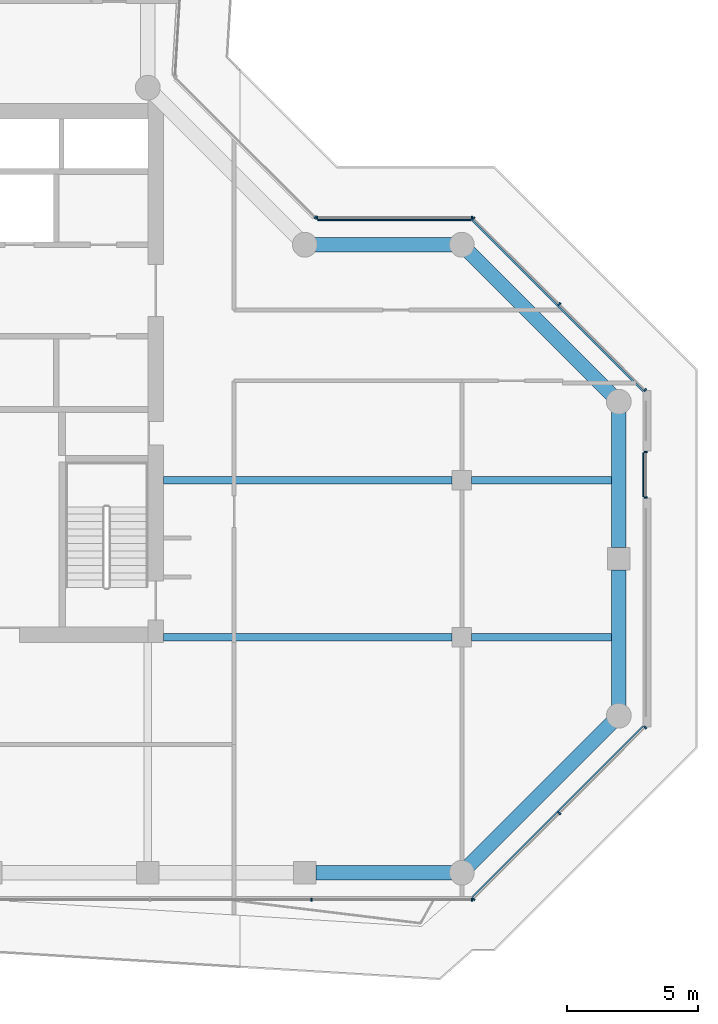
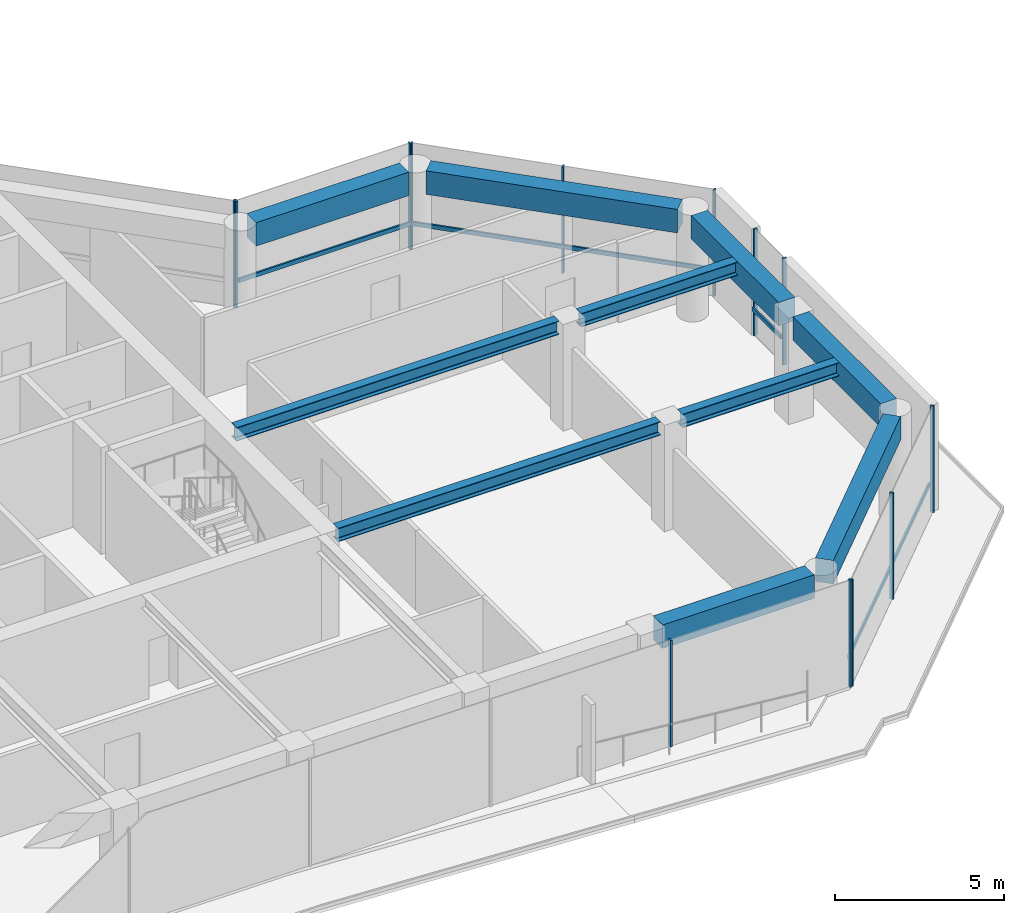
# One storey, part 7 of 22: 17 members, 10 beams, 6 elements without a shape of their own.
"""IFC4 building model written with IfcOpenShell, lengths in metres."""

from ifc_helpers import new_model, si_unit, direction, frame, origin, origin_2d, place, context, subcontext, project, spatial, rectangle, i_section, extrude, material, layer, layer_set, material_profile, profile_set, type_object, element, aggregate, save


model = new_model("IFC4")

# Units and contexts
model_context = context("Model", 3, precision=1e-05, world=origin(), true_north=direction((0.0, 1.0)))
body_context = subcontext(model_context, "Body", "Model", "MODEL_VIEW")
ifc_project = project(units=[si_unit("LENGTHUNIT", "METRE"), si_unit("AREAUNIT", "SQUARE_METRE"), si_unit("VOLUMEUNIT", "CUBIC_METRE"), si_unit("PLANEANGLEUNIT", "RADIAN"), si_unit("MASSUNIT", "GRAM", prefix="KILO")], contexts=[model_context])

# Site, building, storey
site_placement = place(None, origin())
site = spatial("IfcSite", under=ifc_project, at=site_placement, CompositionType="ELEMENT")
building_placement = place(site_placement, origin())
building = spatial("IfcBuilding", under=site, at=building_placement, Name="Welwitschia Terrace Campus", CompositionType="ELEMENT")
storey_placement = place(building_placement, frame((0.0, 0.0, 155.0)))
storey = spatial("IfcBuildingStorey", under=building, at=storey_placement, Name="L34", CompositionType="ELEMENT", Elevation=155.0)

# Beams
ifc_material_1 = material(Name="Steel S355", Category="steel")
ifc_material_profile_1 = material_profile(ifc_material_1, i_section(OverallWidth=0.300048828125, OverallDepth=0.489990234375, WebThickness=0.011962890625, FlangeThickness=0.02294921875, FilletRadius=0.027099609375, at=origin_2d()))
ifc_profile_set_1 = profile_set([ifc_material_profile_1], Name="Steel S355")
beam_type_1 = type_object("IfcBeamType", Name="Interior girder HE 500 A", PredefinedType="BEAM", material=ifc_profile_set_1)
beam_1_placement = place(storey_placement, frame((24.60107421875, 5.0, 3.60498046875), z_axis=(1.0, 0.0, 0.0), x_axis=(0.0, 1.0, 0.0)))
element("IfcBeam", 1, at=beam_1_placement, inside=storey, type_object=beam_type_1, Name="Girder GB4", PredefinedType="BEAM", context=body_context, shape_type="SweptSolid", body=[
    extrude(i_section(OverallWidth=0.300048828125, OverallDepth=0.489990234375, WebThickness=0.011962890625, FlangeThickness=0.02294921875, FilletRadius=0.027099609375, at=origin_2d()), origin(), (0.0, 0.0, 1.0), 11.0234375),
])
beam_2_placement = place(storey_placement, frame((36.37548828125, 5.0, 3.60498046875), z_axis=(1.0, 0.0, 0.0), x_axis=(0.0, 1.0, 0.0)))
element("IfcBeam", 2, at=beam_2_placement, inside=storey, type_object=beam_type_1, Name="Girder GB4", PredefinedType="BEAM", context=body_context, shape_type="SweptSolid", body=[
    extrude(i_section(OverallWidth=0.300048828125, OverallDepth=0.489990234375, WebThickness=0.011962890625, FlangeThickness=0.02294921875, FilletRadius=0.027099609375, at=origin_2d()), origin(), (0.0, 0.0, 1.0), 5.634521484375),
])
beam_3_placement = place(storey_placement, frame((24.60107421875, 11.0, 3.60498046875), z_axis=(1.0, 0.0, 0.0), x_axis=(0.0, 1.0, 0.0)))
element("IfcBeam", 3, at=beam_3_placement, inside=storey, type_object=beam_type_1, Name="Girder GB4", PredefinedType="BEAM", context=body_context, shape_type="SweptSolid", body=[
    extrude(i_section(OverallWidth=0.300048828125, OverallDepth=0.489990234375, WebThickness=0.011962890625, FlangeThickness=0.02294921875, FilletRadius=0.027099609375, at=origin_2d()), origin(), (0.0, 0.0, 1.0), 11.0234375),
])
beam_4_placement = place(storey_placement, frame((36.37548828125, 11.0, 3.60498046875), z_axis=(1.0, 0.0, 0.0), x_axis=(0.0, 1.0, 0.0)))
element("IfcBeam", 4, at=beam_4_placement, inside=storey, type_object=beam_type_1, Name="Girder GB4", PredefinedType="BEAM", context=body_context, shape_type="SweptSolid", body=[
    extrude(i_section(OverallWidth=0.300048828125, OverallDepth=0.489990234375, WebThickness=0.011962890625, FlangeThickness=0.02294921875, FilletRadius=0.027099609375, at=origin_2d()), origin(), (0.0, 0.0, 1.0), 5.634521484375),
])

# Curtain wall, members
ifc_material_2 = material(Name="Bronze anodised aluminium", Category="aluminium")
ifc_layer = layer(ifc_material_2, 0.1201171875)
ifc_layer_set = layer_set([ifc_layer], Name="Bronze anodised aluminium")
curtain_wall_type = type_object("IfcCurtainWallType", Name="Curtain wall CW2 tower 6000", PredefinedType="NOTDEFINED", material=ifc_layer_set)
curtain_wall_1_placement = place(storey_placement, origin())
curtain_wall_1 = element("IfcCurtainWall", 5, at=curtain_wall_1_placement, inside=storey, type_object=curtain_wall_type, Name="CW L34.2.0", PredefinedType="NOTDEFINED")
ifc_material_3 = material(Name="Bronze anodised aluminium", Category="aluminium")
ifc_material_profile_2 = material_profile(ifc_material_3, rectangle(XDim=0.1201171875, YDim=0.06005859375, at=origin_2d()))
ifc_profile_set_2 = profile_set([ifc_material_profile_2], Name="Bronze anodised aluminium")
member_type_1 = type_object("IfcMemberType", Name="Mullion 60x120", PredefinedType="MULLION", material=ifc_profile_set_2)
member_1_placement = place(storey_placement, frame((30.256103515625, -5.030029296875, 0.0), z_axis=(0.0, 0.0, 1.0), x_axis=(0.0, 1.0, 0.0)))
member_1 = element("IfcMember", 6, at=member_1_placement, type_object=member_type_1, Name="Mullion L34.2.0.4", PredefinedType="MULLION", context=body_context, shape_type="SweptSolid", body=[
    extrude(rectangle(XDim=0.1201171875, YDim=0.06005859375, at=origin_2d()), origin(), (0.0, 0.0, 1.0), 3.85009765625),
])
member_2_placement = place(storey_placement, frame((36.396728515625, -5.030029296875, 0.0), z_axis=(0.0, 0.0, 1.0), x_axis=(0.0, 1.0, 0.0)))
member_2 = element("IfcMember", 7, at=member_2_placement, type_object=member_type_1, Name="Mullion L34.2.0.5", PredefinedType="MULLION", context=body_context, shape_type="SweptSolid", body=[
    extrude(rectangle(XDim=0.1201171875, YDim=0.06005859375, at=origin_2d()), origin(), (0.0, 0.0, 1.0), 3.85009765625),
])
aggregate(curtain_wall_1, [member_1, member_2])

curtain_wall_2_placement = place(storey_placement, origin())
curtain_wall_2 = element("IfcCurtainWall", 8, at=curtain_wall_2_placement, inside=storey, type_object=curtain_wall_type, Name="CW L34.3.0", PredefinedType="NOTDEFINED")
member_3_placement = place(storey_placement, frame((36.44775390625, -5.0087890625, 0.0), z_axis=(0.0, 0.0, 1.0), x_axis=(-0.707106781187, 0.707106781187, 0.0)))
member_3 = element("IfcMember", 9, at=member_3_placement, type_object=member_type_1, Name="Mullion L34.3.0.0", PredefinedType="MULLION", context=body_context, shape_type="SweptSolid", body=[
    extrude(rectangle(XDim=0.1201171875, YDim=0.06005859375, at=origin_2d()), origin(), (0.0, 0.0, 1.0), 3.85009765625),
])
member_4_placement = place(storey_placement, frame((39.728271484375, -1.728271484375, 0.0), z_axis=(0.0, 0.0, 1.0), x_axis=(-0.707106781187, 0.707106781187, 0.0)))
member_4 = element("IfcMember", 10, at=member_4_placement, type_object=member_type_1, Name="Mullion L34.3.0.1", PredefinedType="MULLION", context=body_context, shape_type="SweptSolid", body=[
    extrude(rectangle(XDim=0.1201171875, YDim=0.06005859375, at=origin_2d()), origin(), (0.0, 0.0, 1.0), 3.85009765625),
])
member_5_placement = place(storey_placement, frame((43.0087890625, 1.55224609375, 0.0), z_axis=(0.0, 0.0, 1.0), x_axis=(-0.707106781187, 0.707106781187, 0.0)))
member_5 = element("IfcMember", 11, at=member_5_placement, type_object=member_type_1, Name="Mullion L34.3.0.2", PredefinedType="MULLION", context=body_context, shape_type="SweptSolid", body=[
    extrude(rectangle(XDim=0.1201171875, YDim=0.06005859375, at=origin_2d()), origin(), (0.0, 0.0, 1.0), 3.85009765625),
])

curtain_wall_3_placement = place(storey_placement, origin())
curtain_wall_3 = element("IfcCurtainWall", 12, at=curtain_wall_3_placement, inside=storey, type_object=curtain_wall_type, Name="CW L34.4.S0", PredefinedType="NOTDEFINED")
member_6_placement = place(storey_placement, frame((43.030029296875, 10.34326171875, 0.0), z_axis=(0.0, 0.0, 1.0), x_axis=(-1.0, 0.0, 0.0)))
member_6 = element("IfcMember", 13, at=member_6_placement, type_object=member_type_1, Name="Mullion L34.4.S0.0", PredefinedType="MULLION", context=body_context, shape_type="SweptSolid", body=[
    extrude(rectangle(XDim=0.1201171875, YDim=0.06005859375, at=origin_2d()), origin(), (0.0, 0.0, 1.0), 3.85009765625),
])
member_7_placement = place(storey_placement, frame((43.030029296875, 12.083251953125, 0.0), z_axis=(0.0, 0.0, 1.0), x_axis=(-1.0, 0.0, 0.0)))
member_7 = element("IfcMember", 14, at=member_7_placement, type_object=member_type_1, Name="Mullion L34.4.S0.1", PredefinedType="MULLION", context=body_context, shape_type="SweptSolid", body=[
    extrude(rectangle(XDim=0.1201171875, YDim=0.06005859375, at=origin_2d()), origin(), (0.0, 0.0, 1.0), 3.85009765625),
])

curtain_wall_4_placement = place(storey_placement, origin())
curtain_wall_4 = element("IfcCurtainWall", 15, at=curtain_wall_4_placement, inside=storey, type_object=curtain_wall_type, Name="CW L34.5.0", PredefinedType="NOTDEFINED")
member_8_placement = place(storey_placement, frame((43.0087890625, 14.44775390625, 0.0), z_axis=(0.0, 0.0, 1.0), x_axis=(-0.707106781187, -0.707106781187, 0.0)))
member_8 = element("IfcMember", 16, at=member_8_placement, type_object=member_type_1, Name="Mullion L34.5.0.0", PredefinedType="MULLION", context=body_context, shape_type="SweptSolid", body=[
    extrude(rectangle(XDim=0.1201171875, YDim=0.06005859375, at=origin_2d()), origin(), (0.0, 0.0, 1.0), 3.85009765625),
])
member_9_placement = place(storey_placement, frame((39.728271484375, 17.728271484375, 0.0), z_axis=(0.0, 0.0, 1.0), x_axis=(-0.707106781187, -0.707106781187, 0.0)))
member_9 = element("IfcMember", 17, at=member_9_placement, type_object=member_type_1, Name="Mullion L34.5.0.1", PredefinedType="MULLION", context=body_context, shape_type="SweptSolid", body=[
    extrude(rectangle(XDim=0.1201171875, YDim=0.06005859375, at=origin_2d()), origin(), (0.0, 0.0, 1.0), 3.85009765625),
])
member_10_placement = place(storey_placement, frame((36.44775390625, 21.0087890625, 0.0), z_axis=(0.0, 0.0, 1.0), x_axis=(-0.707106781187, -0.707106781187, 0.0)))
member_10 = element("IfcMember", 18, at=member_10_placement, type_object=member_type_1, Name="Mullion L34.5.0.2", PredefinedType="MULLION", context=body_context, shape_type="SweptSolid", body=[
    extrude(rectangle(XDim=0.1201171875, YDim=0.06005859375, at=origin_2d()), origin(), (0.0, 0.0, 1.0), 3.85009765625),
])

curtain_wall_5_placement = place(storey_placement, origin())
curtain_wall_5 = element("IfcCurtainWall", 19, at=curtain_wall_5_placement, inside=storey, type_object=curtain_wall_type, Name="CW L34.6.0", PredefinedType="NOTDEFINED")
member_11_placement = place(storey_placement, frame((36.396728515625, 21.030029296875, 0.0), z_axis=(0.0, 0.0, 1.0), x_axis=(0.0, -1.0, 0.0)))
member_11 = element("IfcMember", 20, at=member_11_placement, type_object=member_type_1, Name="Mullion L34.6.0.0", PredefinedType="MULLION", context=body_context, shape_type="SweptSolid", body=[
    extrude(rectangle(XDim=0.1201171875, YDim=0.06005859375, at=origin_2d()), origin(), (0.0, 0.0, 1.0), 3.85009765625),
])
member_12_placement = place(storey_placement, frame((30.45654296875, 21.030029296875, 0.0), z_axis=(0.0, 0.0, 1.0), x_axis=(0.0, -1.0, 0.0)))
member_12 = element("IfcMember", 21, at=member_12_placement, type_object=member_type_1, Name="Mullion L34.6.0.1", PredefinedType="MULLION", context=body_context, shape_type="SweptSolid", body=[
    extrude(rectangle(XDim=0.1201171875, YDim=0.06005859375, at=origin_2d()), origin(), (0.0, 0.0, 1.0), 3.85009765625),
])

# Curtain wall, member
curtain_wall_6_placement = place(storey_placement, origin())
curtain_wall_6 = element("IfcCurtainWall", 22, at=curtain_wall_6_placement, inside=storey, type_object=curtain_wall_type, Name="CW L34.7.0", PredefinedType="NOTDEFINED")
member_13_placement = place(storey_placement, frame((30.405517578125, 21.05126953125, 0.0), z_axis=(0.0, 0.0, 1.0), x_axis=(-0.707106781187, -0.707106781187, 0.0)))
member_13 = element("IfcMember", 23, at=member_13_placement, type_object=member_type_1, Name="Mullion L34.7.0.0", PredefinedType="MULLION", context=body_context, shape_type="SweptSolid", body=[
    extrude(rectangle(XDim=0.1201171875, YDim=0.06005859375, at=origin_2d()), origin(), (0.0, 0.0, 1.0), 3.85009765625),
])
aggregate(curtain_wall_6, [member_13])

# Beams
ifc_material_4 = material(Name="Concrete C50/60", Category="concrete")
ifc_material_profile_3 = material_profile(ifc_material_4, rectangle(XDim=0.550048828125, YDim=0.85009765625, at=origin_2d()))
ifc_profile_set_3 = profile_set([ifc_material_profile_3], Name="Concrete C50/60")
beam_type_2 = type_object("IfcBeamType", Name="Ring spandrel 550x850", PredefinedType="SPANDREL", material=ifc_profile_set_3)
beam_5_placement = place(storey_placement, frame((30.425537109375, -4.0, 3.425048828125), z_axis=(1.0, 0.0, 0.0), x_axis=(0.0, 1.0, 0.0)))
element("IfcBeam", 24, at=beam_5_placement, inside=storey, type_object=beam_type_2, Name="Spandrel SP3", PredefinedType="SPANDREL", context=body_context, shape_type="SweptSolid", body=[
    extrude(rectangle(XDim=0.550048828125, YDim=0.85009765625, at=origin_2d()), origin(), (0.0, 0.0, 1.0), 5.1865234375),
])
beam_6_placement = place(storey_placement, frame((36.2744140625, -3.7255859375, 3.425048828125), z_axis=(0.707106781187, 0.707106781187, 0.0), x_axis=(-0.707106781187, 0.707106781187, 0.0)))
element("IfcBeam", 25, at=beam_6_placement, inside=storey, type_object=beam_type_2, Name="Spandrel SP3", PredefinedType="SPANDREL", context=body_context, shape_type="SweptSolid", body=[
    extrude(rectangle(XDim=0.550048828125, YDim=0.85009765625, at=origin_2d()), origin(), (0.0, 0.0, 1.0), 7.709228515625),
])
for number, where, z_axis, x_axis, name in (
    (26, (42.0, 2.387939453125, 3.425048828125), (0.0, 1.0, 0.0), (-1.0, 0.0, 0.0), "Spandrel SP3"),
    (27, (42.0, 8.425537109375, 3.425048828125), (0.0, 1.0, 0.0), (-1.0, 0.0, 0.0), "Spandrel SP3"),
):
    element("IfcBeam", number, at=place(storey_placement, frame(where, z_axis=z_axis, x_axis=x_axis)), inside=storey, type_object=beam_type_2, Name=name, PredefinedType="SPANDREL", context=body_context, shape_type="SweptSolid", body=[
        extrude(rectangle(XDim=0.550048828125, YDim=0.85009765625, at=origin_2d()), origin(), (0.0, 0.0, 1.0), 5.1865234375),
    ])
beam_7_placement = place(storey_placement, frame((41.7255859375, 14.2744140625, 3.425048828125), z_axis=(-0.707106781187, 0.707106781187, 0.0), x_axis=(-0.707106781187, -0.707106781187, 0.0)))
element("IfcBeam", 28, at=beam_7_placement, inside=storey, type_object=beam_type_2, Name="Spandrel SP3", PredefinedType="SPANDREL", context=body_context, shape_type="SweptSolid", body=[
    extrude(rectangle(XDim=0.550048828125, YDim=0.85009765625, at=origin_2d()), origin(), (0.0, 0.0, 1.0), 7.709228515625),
])
beam_8_placement = place(storey_placement, frame((35.612060546875, 20.0, 3.425048828125), z_axis=(-1.0, 0.0, 0.0), x_axis=(0.0, -1.0, 0.0)))
element("IfcBeam", 29, at=beam_8_placement, inside=storey, type_object=beam_type_2, Name="Spandrel SP3", PredefinedType="SPANDREL", context=body_context, shape_type="SweptSolid", body=[
    extrude(rectangle(XDim=0.550048828125, YDim=0.85009765625, at=origin_2d()), origin(), (0.0, 0.0, 1.0), 5.22412109375),
])

# Member
ifc_material_5 = material(Name="Bronze anodised aluminium", Category="aluminium")
ifc_material_profile_4 = material_profile(ifc_material_5, rectangle(XDim=0.06005859375, YDim=0.14990234375, at=origin_2d()))
ifc_profile_set_4 = profile_set([ifc_material_profile_4], Name="Bronze anodised aluminium")
member_type_2 = type_object("IfcMemberType", Name="Transom 60x150", PredefinedType="USERDEFINED", material=ifc_profile_set_4)
member_14_placement = place(storey_placement, frame((36.405517578125, -4.923828125, 1.0), z_axis=(0.707106781187, 0.707106781187, 0.0), x_axis=(-0.707106781187, 0.707106781187, 0.0)))
member_14 = element("IfcMember", 30, at=member_14_placement, type_object=member_type_2, Name="Transom L34.3.0", ObjectType="TRANSOM", PredefinedType="USERDEFINED", context=body_context, shape_type="SweptSolid", body=[
    extrude(rectangle(XDim=0.06005859375, YDim=0.14990234375, at=origin_2d()), origin(), (0.0, 0.0, 1.0), 9.21826171875),
])

aggregate(curtain_wall_2, [member_3, member_4, member_5, member_14])

member_15_placement = place(storey_placement, frame((42.93994140625, 10.373291015625, 1.0), z_axis=(0.0, 1.0, 0.0), x_axis=(-1.0, 0.0, 0.0)))
member_15 = element("IfcMember", 31, at=member_15_placement, type_object=member_type_2, Name="Transom L34.4.S0", ObjectType="TRANSOM", PredefinedType="USERDEFINED", context=body_context, shape_type="SweptSolid", body=[
    extrude(rectangle(XDim=0.06005859375, YDim=0.14990234375, at=origin_2d()), origin(), (0.0, 0.0, 1.0), 1.679931640625),
])

aggregate(curtain_wall_3, [member_6, member_7, member_15])

member_16_placement = place(storey_placement, frame((42.923828125, 14.405517578125, 1.0), z_axis=(-0.707106781187, 0.707106781187, 0.0), x_axis=(-0.707106781187, -0.707106781187, 0.0)))
member_16 = element("IfcMember", 32, at=member_16_placement, type_object=member_type_2, Name="Transom L34.5.0", ObjectType="TRANSOM", PredefinedType="USERDEFINED", context=body_context, shape_type="SweptSolid", body=[
    extrude(rectangle(XDim=0.06005859375, YDim=0.14990234375, at=origin_2d()), origin(), (0.0, 0.0, 1.0), 9.21826171875),
])

aggregate(curtain_wall_4, [member_8, member_9, member_10, member_16])

member_17_placement = place(storey_placement, frame((36.36669921875, 20.93994140625, 1.0), z_axis=(-1.0, 0.0, 0.0), x_axis=(0.0, -1.0, 0.0)))
member_17 = element("IfcMember", 33, at=member_17_placement, type_object=member_type_2, Name="Transom L34.6.0", ObjectType="TRANSOM", PredefinedType="USERDEFINED", context=body_context, shape_type="SweptSolid", body=[
    extrude(rectangle(XDim=0.06005859375, YDim=0.14990234375, at=origin_2d()), origin(), (0.0, 0.0, 1.0), 5.880126953125),
])

aggregate(curtain_wall_5, [member_11, member_12, member_17])

save(model, "model.ifc")
